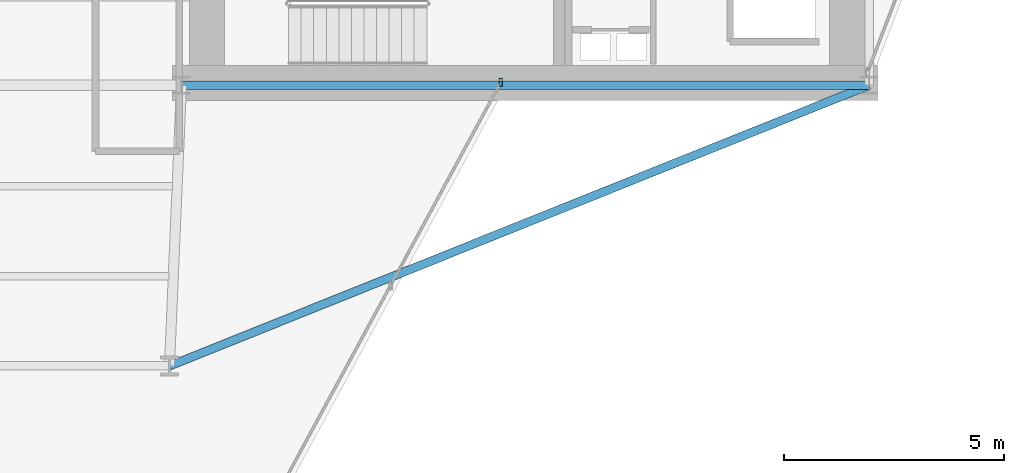
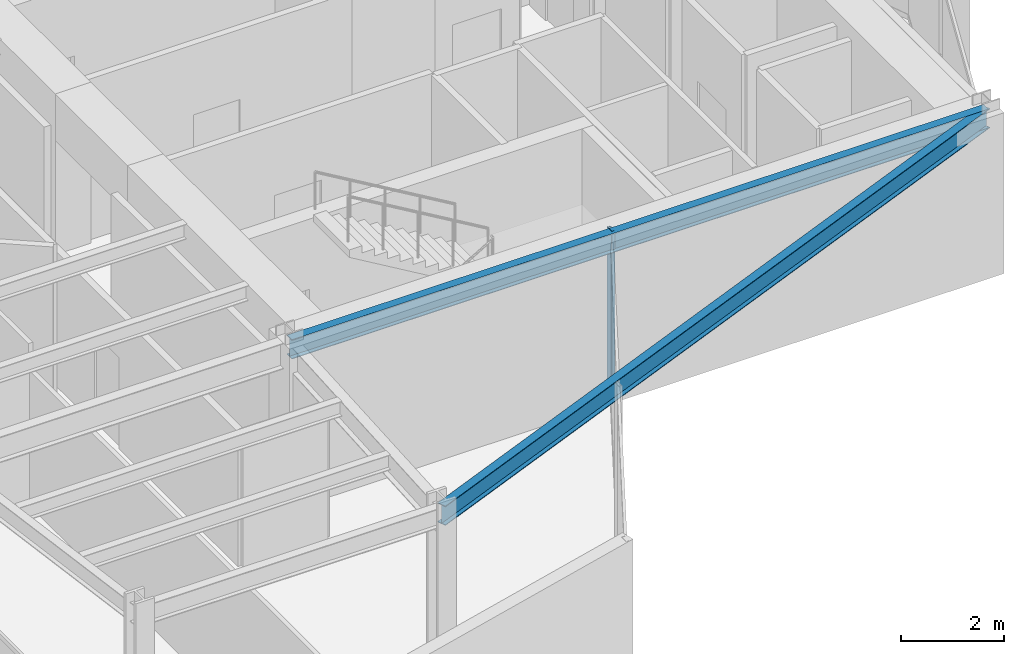
# One storey, part 14 of 26: 2 beams, 1 member, 1 element without a shape of its own.
"""IFC4 building model written with IfcOpenShell, lengths in metres."""

from ifc_helpers import new_model, si_unit, direction, frame, origin, origin_2d, place, context, subcontext, project, spatial, hollow_rectangle, i_section, extrude, material, layer, layer_set, material_profile, profile_set, type_object, element, aggregate, save


model = new_model("IFC4")

# Units and contexts
model_context = context("Model", 3, precision=1e-05, world=origin(), true_north=direction((0.0, 1.0)))
body_context = subcontext(model_context, "Body", "Model", "MODEL_VIEW")
ifc_project = project(units=[si_unit("LENGTHUNIT", "METRE"), si_unit("AREAUNIT", "SQUARE_METRE"), si_unit("VOLUMEUNIT", "CUBIC_METRE"), si_unit("PLANEANGLEUNIT", "RADIAN"), si_unit("MASSUNIT", "GRAM", prefix="KILO")], contexts=[model_context])

# Site, building, storey
site_placement = place(None, origin())
site = spatial("IfcSite", under=ifc_project, at=site_placement, CompositionType="ELEMENT")
building_placement = place(site_placement, origin())
building = spatial("IfcBuilding", under=site, at=building_placement, Name="Veymaron Broadcast Tower", CompositionType="ELEMENT")
storey_placement = place(building_placement, frame((0.0, 0.0, 153.300048828125)))
storey = spatial("IfcBuildingStorey", under=building, at=storey_placement, Name="L35", CompositionType="ELEMENT", Elevation=153.300048828125)

# Beams
ifc_material_1 = material(Name="Structural steel ASTM A992 Gr 50", Category="steel")
ifc_material_profile_1 = material_profile(ifc_material_1, i_section(OverallWidth=0.19091796875, OverallDepth=0.4599609375, WebThickness=0.010009765625, FlangeThickness=0.01611328125, at=origin_2d()), Name="W460X82")
ifc_profile_set_1 = profile_set([ifc_material_profile_1], Name="Structural steel ASTM A992 Gr 50")
beam_type = type_object("IfcBeamType", Name="BM-SP1", PredefinedType="SPANDREL", material=ifc_profile_set_1)
beam_1_placement = place(storey_placement, frame((39.0, 16.0, 3.579833984375), z_axis=(1.0, 0.0, 0.0), x_axis=(0.0, 1.0, 0.0)))
element("IfcBeam", 1, at=beam_1_placement, inside=storey, type_object=beam_type, Name="L35 primary structural floor girder", PredefinedType="SPANDREL", context=body_context, shape_type="SweptSolid", body=[
    extrude(i_section(OverallWidth=0.19091796875, OverallDepth=0.4599609375, WebThickness=0.010009765625, FlangeThickness=0.01611328125, at=origin_2d()), origin(), (0.0, 0.0, 1.0), 15.60009765625),
])
beam_2_placement = place(storey_placement, frame((54.60009765625, 16.0, 3.579833984375), z_axis=(-0.928091240727, -0.372352855348, 0.0), x_axis=(0.372352855348, -0.928091240727, 0.0)))
element("IfcBeam", 2, at=beam_2_placement, inside=storey, type_object=beam_type, Name="L35 primary structural floor girder", PredefinedType="SPANDREL", context=body_context, shape_type="SweptSolid", body=[
    extrude(i_section(OverallWidth=0.19091796875, OverallDepth=0.4599609375, WebThickness=0.010009765625, FlangeThickness=0.01611328125, at=origin_2d()), origin(), (0.0, 0.0, 1.0), 17.101806640625),
])

# Curtain wall, member
ifc_material_2 = material(Name="Anodised aluminium AA 6063-T6 and laminated low-E dark glass", Category="aluminium")
ifc_layer = layer(ifc_material_2, 0.179931640625)
ifc_layer_set = layer_set([ifc_layer], Name="Anodised aluminium AA 6063-T6 and laminated low-E dark glass")
curtain_wall_type = type_object("IfcCurtainWallType", Name="CW-SYS-03", PredefinedType="NOTDEFINED", material=ifc_layer_set)
curtain_wall_placement = place(storey_placement, origin())
curtain_wall = element("IfcCurtainWall", 3, at=curtain_wall_placement, inside=storey, type_object=curtain_wall_type, Name="L35 dark-glass curtain wall CW-L35-E20-1", PredefinedType="NOTDEFINED")
ifc_material_3 = material(Name="Anodised aluminium AA 6063-T6", Category="aluminium")
ifc_material_profile_2 = material_profile(ifc_material_3, hollow_rectangle(XDim=0.074951171875, YDim=0.179931640625, WallThickness=0.0048828125, at=origin_2d()), Name="AL180X75X5")
ifc_profile_set_2 = profile_set([ifc_material_profile_2], Name="Anodised aluminium AA 6063-T6")
member_type = type_object("IfcMemberType", Name="CW-MUL-02", PredefinedType="MULLION", material=ifc_profile_set_2)
member_placement = place(storey_placement, frame((46.242919921875, 16.06689453125, 0.0), z_axis=(0.0, 0.0, 1.0), x_axis=(1.0, 0.0, 0.0)))
member = element("IfcMember", 4, at=member_placement, type_object=member_type, Name="CW-L35-E20-1 mullion 2", PredefinedType="MULLION", context=body_context, shape_type="SweptSolid", body=[
    extrude(hollow_rectangle(XDim=0.074951171875, YDim=0.179931640625, WallThickness=0.0048828125, at=origin_2d()), origin(), (0.0, 0.0, 1.0), 3.81005859375),
])
aggregate(curtain_wall, [member])

save(model, "model.ifc")
